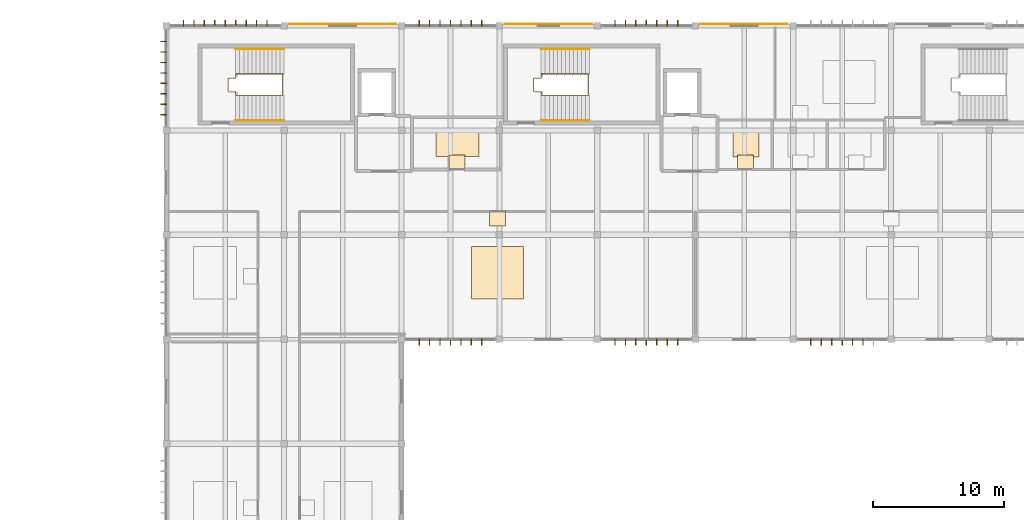
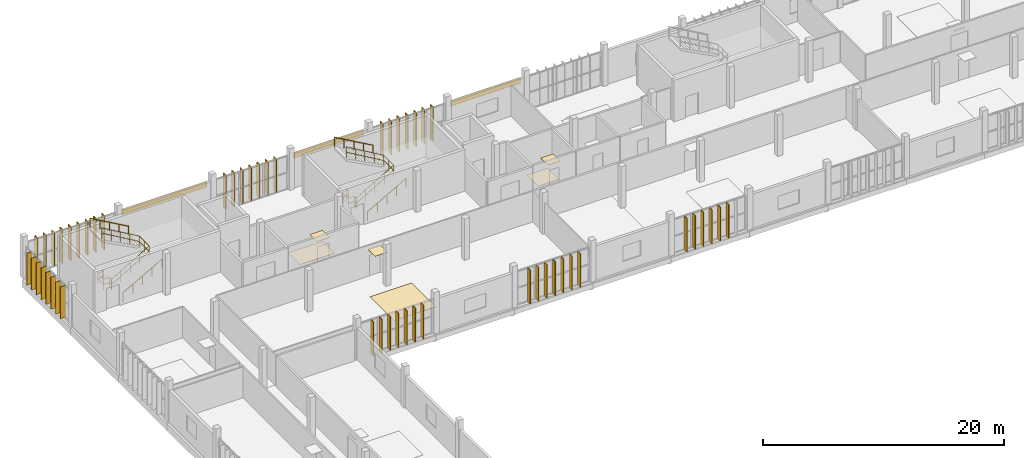
# One storey, part 25 of 27: 51 shading devices, 9 coverings, 8 railings.
"""IFC4 building model written with IfcOpenShell, lengths in metres."""

from ifc_helpers import new_model, si_unit, direction, frame, origin, origin_2d, place, context, subcontext, project, spatial, rectangle, circle, extrude, material, layer, layer_set, material_profile, profile_set, type_object, element, save


model = new_model("IFC4")

# Units and contexts
model_context = context("Model", 3, precision=1e-05, world=origin(), true_north=direction((0.0, 1.0)))
body_context = subcontext(model_context, "Body", "Model", "MODEL_VIEW")
ifc_project = project(units=[si_unit("LENGTHUNIT", "METRE"), si_unit("AREAUNIT", "SQUARE_METRE"), si_unit("VOLUMEUNIT", "CUBIC_METRE"), si_unit("PLANEANGLEUNIT", "RADIAN"), si_unit("MASSUNIT", "GRAM", prefix="KILO")], contexts=[model_context])

# Site, building, storey
site_placement = place(None, origin())
site = spatial("IfcSite", under=ifc_project, at=site_placement, CompositionType="ELEMENT")
building_placement = place(site_placement, origin())
building = spatial("IfcBuilding", under=site, at=building_placement, Name="Vourika Railside Aquatics Centre", CompositionType="ELEMENT")
storey_placement = place(building_placement, frame((0.0, 0.0, 13.5)))
storey = spatial("IfcBuildingStorey", under=building, at=storey_placement, Name="L03", CompositionType="ELEMENT", Elevation=13.5)

# Coverings
ifc_material_1 = material(Name="Perforated moisture-resistant acoustic gypsum ceiling")
ifc_layer_1 = layer(ifc_material_1, 0.02490234375, Name="COV-CEIL-25")
ifc_layer_set_1 = layer_set([ifc_layer_1], Name="Perforated moisture-resistant acoustic gypsum ceiling")
covering_type_1 = type_object("IfcCoveringType", Name="COV-CEIL-25", PredefinedType="CEILING", material=ifc_layer_set_1)
for number, where, z_axis, x_axis, name in (
    (1, (62.344970703125, 105.52001953125, 2.637451171875), (0.0, 0.0, 1.0), (1.0, 0.0, 0.0), "Thermal Spa Male WC Acoustic Ceiling Panel"),
    (2, (43.35009765625, 101.280029296875, 2.637451171875), (0.0, 0.0, 1.0), (1.0, 0.0, 0.0), "Thermal Hydrotherapy and Vitality Lounge Acoustic Ceiling Panel"),
    (3, (40.2451171875, 105.52001953125, 2.637451171875), (0.0, 0.0, 1.0), (1.0, 0.0, 0.0), "Clean Linen and Spa Supply Store Acoustic Ceiling Panel"),
):
    element("IfcCovering", number, at=place(storey_placement, frame(where, z_axis=z_axis, x_axis=x_axis)), inside=storey, type_object=covering_type_1, Name=name, PredefinedType="CEILING", context=body_context, shape_type="SweptSolid", body=[
        extrude(rectangle(XDim=1.199951171875, YDim=1.199951171875, at=origin_2d()), origin(), (0.0, 0.0, 1.0), 0.02490234375),
    ])
ifc_material_2 = material(Name="Bronze-anodized aluminium rainscreen", Category="aluminium")
ifc_layer_2 = layer(ifc_material_2, 0.044921875, Name="COV-CLAD-45")
ifc_layer_set_2 = layer_set([ifc_layer_2], Name="Bronze-anodized aluminium rainscreen")
covering_type_2 = type_object("IfcCoveringType", Name="COV-CLAD-45", PredefinedType="CLADDING", material=ifc_layer_set_2)
covering_1_placement = place(storey_placement, frame((31.5, 116.155029296875, 2.81494140625), z_axis=(0.0, 0.0, 1.0), x_axis=(-1.0, 0.0, 0.0)))
element("IfcCovering", 4, at=covering_1_placement, inside=storey, type_object=covering_type_2, Name="Perforated Bronze Rainscreen Band CL-063", PredefinedType="CLADDING", context=body_context, shape_type="SweptSolid", body=[
    extrude(rectangle(XDim=8.199951171875, YDim=0.044921875, at=origin_2d()), origin(), (0.0, 0.0, 1.0), 0.550048828125),
])
for number, where, z_axis, x_axis, name in (
    (5, (47.25, 116.155029296875, 2.81494140625), (0.0, 0.0, 1.0), (-1.0, 0.0, 0.0), "Perforated Bronze Rainscreen Band CL-064"),
    (6, (62.25, 116.155029296875, 2.81494140625), (0.0, 0.0, 1.0), (-1.0, 0.0, 0.0), "Perforated Bronze Rainscreen Band CL-065"),
):
    element("IfcCovering", number, at=place(storey_placement, frame(where, z_axis=z_axis, x_axis=x_axis)), inside=storey, type_object=covering_type_2, Name=name, PredefinedType="CLADDING", context=body_context, shape_type="SweptSolid", body=[
        extrude(rectangle(XDim=6.699951171875, YDim=0.044921875, at=origin_2d()), origin(), (0.0, 0.0, 1.0), 0.550048828125),
    ])
ifc_material_3 = material(Name="Slip-resistant aqua ceramic sports flooring")
ifc_layer_3 = layer(ifc_material_3, 0.02001953125, Name="COV-FLOR-20")
ifc_layer_set_3 = layer_set([ifc_layer_3], Name="Slip-resistant aqua ceramic sports flooring")
covering_type_3 = type_object("IfcCoveringType", Name="COV-FLOR-20", PredefinedType="FLOORING", material=ifc_layer_set_3)
covering_2_placement = place(storey_placement, frame((62.39990234375, 106.89990234375, 0.0), z_axis=(0.0, 0.0, 1.0), x_axis=(1.0, 0.0, 0.0)))
element("IfcCovering", 7, at=covering_2_placement, inside=storey, type_object=covering_type_3, Name="Thermal Spa Male WC Sports Flooring Panel", PredefinedType="FLOORING", context=body_context, shape_type="SweptSolid", body=[
    extrude(rectangle(XDim=2.0, YDim=1.89990234375, at=origin_2d()), origin(), (0.0, 0.0, 1.0), 0.02001953125),
])
covering_3_placement = place(storey_placement, frame((43.35009765625, 97.10009765625, 0.0), z_axis=(0.0, 0.0, 1.0), x_axis=(1.0, 0.0, 0.0)))
element("IfcCovering", 8, at=covering_3_placement, inside=storey, type_object=covering_type_3, Name="Thermal Hydrotherapy and Vitality Lounge Sports Flooring Panel", PredefinedType="FLOORING", context=body_context, shape_type="SweptSolid", body=[
    extrude(rectangle(XDim=4.0, YDim=4.0, at=origin_2d()), origin(), (0.0, 0.0, 1.0), 0.02001953125),
])
covering_4_placement = place(storey_placement, frame((40.300048828125, 107.0, 0.0), z_axis=(0.0, 0.0, 1.0), x_axis=(1.0, 0.0, 0.0)))
element("IfcCovering", 9, at=covering_4_placement, inside=storey, type_object=covering_type_3, Name="Clean Linen and Spa Supply Store Sports Flooring Panel", PredefinedType="FLOORING", context=body_context, shape_type="SweptSolid", body=[
    extrude(rectangle(XDim=3.300048828125, YDim=2.0, at=origin_2d()), origin(), (0.0, 0.0, 1.0), 0.02001953125),
])

# Railings
ifc_material_4 = material(Name="Duplex stainless steel EN 1.4462", Category="steel")
railing_type_1 = type_object("IfcRailingType", Name="RL-HAND-920", PredefinedType="HANDRAIL", material=ifc_material_4)
railing_1_placement = place(storey_placement, frame((23.300048828125, 108.760009765625, 0.0)))
element("IfcRailing", 10, at=railing_1_placement, inside=storey, type_object=railing_type_1, Name="Protected Exit Stair Core ST01 Lower Wall Handrail (L03)", PredefinedType="HANDRAIL", context=body_context, shape_type="SweptSolid", body=[
    extrude(circle(Radius=0.02392578125, at=origin_2d()), frame((0.0, 0.0, 0.89599609375), z_axis=(0.869449269089, 0.0, 0.494022234804), x_axis=(0.0, 1.0, 0.0)), (0.0, 0.0, 1.0), 4.2509765625),
    extrude(circle(Radius=0.02099609375, at=origin_2d()), origin(), (0.0, 0.0, 1.0), 0.871826171875),
    extrude(circle(Radius=0.02099609375, at=origin_2d()), frame((0.924072265625, 0.0, 0.52490234375)), (0.0, 0.0, 1.0), 0.871826171875),
    extrude(circle(Radius=0.02099609375, at=origin_2d()), frame((1.84814453125, 0.0, 1.050048828125)), (0.0, 0.0, 1.0), 0.871826171875),
    extrude(circle(Radius=0.02099609375, at=origin_2d()), frame((2.77197265625, 0.0, 1.5751953125)), (0.0, 0.0, 1.0), 0.871826171875),
    extrude(circle(Radius=0.02099609375, at=origin_2d()), frame((3.696044921875, 0.0, 2.10009765625)), (0.0, 0.0, 1.0), 0.871826171875),
])
railing_2_placement = place(storey_placement, frame((26.99609375, 114.239990234375, 2.10009765625)))
element("IfcRailing", 11, at=railing_2_placement, inside=storey, type_object=railing_type_1, Name="Protected Exit Stair Core ST01 Upper Wall Handrail (L03)", PredefinedType="HANDRAIL", context=body_context, shape_type="SweptSolid", body=[
    extrude(circle(Radius=0.02392578125, at=origin_2d()), frame((0.0, 0.0, 0.89599609375), z_axis=(-0.869473936924, 0.0, 0.493978818382), x_axis=(0.0, -1.0, 0.0)), (0.0, 0.0, 1.0), 4.2509765625),
    extrude(circle(Radius=0.02099609375, at=origin_2d()), origin(), (0.0, 0.0, 1.0), 0.871826171875),
    extrude(circle(Radius=0.02099609375, at=origin_2d()), frame((-0.924072265625, 0.0, 0.52490234375)), (0.0, 0.0, 1.0), 0.871826171875),
    extrude(circle(Radius=0.02099609375, at=origin_2d()), frame((-1.84814453125, 0.0, 1.0498046875)), (0.0, 0.0, 1.0), 0.871826171875),
    extrude(circle(Radius=0.02099609375, at=origin_2d()), frame((-2.77197265625, 0.0, 1.574951171875)), (0.0, 0.0, 1.0), 0.871826171875),
    extrude(circle(Radius=0.02099609375, at=origin_2d()), frame((-3.696044921875, 0.0, 2.099853515625)), (0.0, 0.0, 1.0), 0.871826171875),
])
railing_3_placement = place(storey_placement, frame((46.699951171875, 108.760009765625, 0.0)))
element("IfcRailing", 12, at=railing_3_placement, inside=storey, type_object=railing_type_1, Name="Protected Exit Stair Core ST02 Lower Wall Handrail (L03)", PredefinedType="HANDRAIL", context=body_context, shape_type="SweptSolid", body=[
    extrude(circle(Radius=0.02392578125, at=origin_2d()), frame((0.0, 0.0, 0.89599609375), z_axis=(0.869449269089, 0.0, 0.494022234804), x_axis=(0.0, 1.0, 0.0)), (0.0, 0.0, 1.0), 4.2509765625),
    extrude(circle(Radius=0.02099609375, at=origin_2d()), origin(), (0.0, 0.0, 1.0), 0.871826171875),
    extrude(circle(Radius=0.02099609375, at=origin_2d()), frame((0.924072265625, 0.0, 0.52490234375)), (0.0, 0.0, 1.0), 0.871826171875),
    extrude(circle(Radius=0.02099609375, at=origin_2d()), frame((1.84814453125, 0.0, 1.050048828125)), (0.0, 0.0, 1.0), 0.871826171875),
    extrude(circle(Radius=0.02099609375, at=origin_2d()), frame((2.77197265625, 0.0, 1.5751953125)), (0.0, 0.0, 1.0), 0.871826171875),
    extrude(circle(Radius=0.02099609375, at=origin_2d()), frame((3.696044921875, 0.0, 2.10009765625)), (0.0, 0.0, 1.0), 0.871826171875),
])
railing_4_placement = place(storey_placement, frame((50.39599609375, 114.239990234375, 2.10009765625)))
element("IfcRailing", 13, at=railing_4_placement, inside=storey, type_object=railing_type_1, Name="Protected Exit Stair Core ST02 Upper Wall Handrail (L03)", PredefinedType="HANDRAIL", context=body_context, shape_type="SweptSolid", body=[
    extrude(circle(Radius=0.02392578125, at=origin_2d()), frame((0.0, 0.0, 0.89599609375), z_axis=(-0.869473936924, 0.0, 0.493978818382), x_axis=(0.0, -1.0, 0.0)), (0.0, 0.0, 1.0), 4.2509765625),
    extrude(circle(Radius=0.02099609375, at=origin_2d()), origin(), (0.0, 0.0, 1.0), 0.871826171875),
    extrude(circle(Radius=0.02099609375, at=origin_2d()), frame((-0.924072265625, 0.0, 0.52490234375)), (0.0, 0.0, 1.0), 0.871826171875),
    extrude(circle(Radius=0.02099609375, at=origin_2d()), frame((-1.84814453125, 0.0, 1.0498046875)), (0.0, 0.0, 1.0), 0.871826171875),
    extrude(circle(Radius=0.02099609375, at=origin_2d()), frame((-2.77197265625, 0.0, 1.574951171875)), (0.0, 0.0, 1.0), 0.871826171875),
    extrude(circle(Radius=0.02099609375, at=origin_2d()), frame((-3.696044921875, 0.0, 2.099853515625)), (0.0, 0.0, 1.0), 0.871826171875),
])
railing_type_2 = type_object("IfcRailingType", Name="RL-STAIR-1120", PredefinedType="BALUSTRADE", material=ifc_material_4)
railing_5_placement = place(storey_placement, frame((23.300048828125, 110.75, 0.0)))
element("IfcRailing", 14, at=railing_5_placement, inside=storey, type_object=railing_type_2, Name="Protected Exit Stair Core ST01 Well Edge Guard (L03)", PredefinedType="BALUSTRADE", context=body_context, shape_type="SweptSolid", body=[
    extrude(circle(Radius=0.02392578125, at=origin_2d()), frame((0.0, 0.0, 1.09619140625), z_axis=(0.0, 1.0, 0.0), x_axis=(-1.0, 0.0, 0.0)), (0.0, 0.0, 1.0), 0.25),
    extrude(circle(Radius=0.02392578125, at=origin_2d()), frame((0.0, 0.0, 0.56005859375), z_axis=(0.0, 1.0, 0.0), x_axis=(-1.0, 0.0, 0.0)), (0.0, 0.0, 1.0), 0.25),
    extrude(circle(Radius=0.02392578125, at=origin_2d()), frame((0.0, 0.25, 1.09619140625), z_axis=(-1.0, 0.0, 0.0), x_axis=(0.0, -1.0, 0.0)), (0.0, 0.0, 1.0), 0.570068359375),
    extrude(circle(Radius=0.02392578125, at=origin_2d()), frame((0.0, 0.25, 0.56005859375), z_axis=(-1.0, 0.0, 0.0), x_axis=(0.0, -1.0, 0.0)), (0.0, 0.0, 1.0), 0.570068359375),
    extrude(circle(Radius=0.02392578125, at=origin_2d()), frame((-0.570068359375, 0.25, 1.09619140625), z_axis=(0.0, 1.0, 0.0), x_axis=(-1.0, 0.0, 0.0)), (0.0, 0.0, 1.0), 1.0),
    extrude(circle(Radius=0.02392578125, at=origin_2d()), frame((-0.570068359375, 0.25, 0.56005859375), z_axis=(0.0, 1.0, 0.0), x_axis=(-1.0, 0.0, 0.0)), (0.0, 0.0, 1.0), 1.0),
    extrude(circle(Radius=0.02392578125, at=origin_2d()), frame((-0.570068359375, 1.25, 1.09619140625), z_axis=(1.0, 0.0, 0.0), x_axis=(0.0, 1.0, 0.0)), (0.0, 0.0, 1.0), 0.570068359375),
    extrude(circle(Radius=0.02392578125, at=origin_2d()), frame((-0.570068359375, 1.25, 0.56005859375), z_axis=(1.0, 0.0, 0.0), x_axis=(0.0, 1.0, 0.0)), (0.0, 0.0, 1.0), 0.570068359375),
    extrude(circle(Radius=0.02392578125, at=origin_2d()), frame((0.0, 1.25, 1.09619140625), z_axis=(0.0, 1.0, 0.0), x_axis=(-1.0, 0.0, 0.0)), (0.0, 0.0, 1.0), 0.25),
    extrude(circle(Radius=0.02392578125, at=origin_2d()), frame((0.0, 1.25, 0.56005859375), z_axis=(0.0, 1.0, 0.0), x_axis=(-1.0, 0.0, 0.0)), (0.0, 0.0, 1.0), 0.25),
    extrude(circle(Radius=0.02099609375, at=origin_2d()), origin(), (0.0, 0.0, 1.0), 1.072021484375),
    extrude(circle(Radius=0.02099609375, at=origin_2d()), frame((0.0, 0.25, 0.0)), (0.0, 0.0, 1.0), 1.072021484375),
    extrude(circle(Radius=0.02099609375, at=origin_2d()), frame((-0.570068359375, 0.25, 0.0)), (0.0, 0.0, 1.0), 1.072021484375),
    extrude(circle(Radius=0.02099609375, at=origin_2d()), frame((-0.570068359375, 1.25, 0.0)), (0.0, 0.0, 1.0), 1.072021484375),
    extrude(circle(Radius=0.02099609375, at=origin_2d()), frame((0.0, 1.25, 0.0)), (0.0, 0.0, 1.0), 1.072021484375),
    extrude(circle(Radius=0.02099609375, at=origin_2d()), frame((0.0, 1.5, 0.0)), (0.0, 0.0, 1.0), 1.072021484375),
])
railing_6_placement = place(storey_placement, frame((23.300048828125, 110.679931640625, 0.0)))
element("IfcRailing", 15, at=railing_6_placement, inside=storey, type_object=railing_type_2, Name="Protected Exit Stair Core ST01 Center Well Guard (L03)", PredefinedType="BALUSTRADE", context=body_context, shape_type="SweptSolid", body=[
    extrude(circle(Radius=0.02392578125, at=origin_2d()), frame((0.0, 0.0, 1.09619140625), z_axis=(0.863521496458, 0.0, 0.504312031539), x_axis=(0.0, 1.0, 0.0)), (0.0, 0.0, 1.0), 4.164306640625),
    extrude(circle(Radius=0.02392578125, at=origin_2d()), frame((0.0, 0.0, 0.56005859375), z_axis=(0.863521496458, 0.0, 0.504312031539), x_axis=(0.0, 1.0, 0.0)), (0.0, 0.0, 1.0), 4.164306640625),
    extrude(circle(Radius=0.02392578125, at=origin_2d()), frame((3.595947265625, 0.0, 3.1962890625), z_axis=(0.0, 1.0, 0.0), x_axis=(-1.0, 0.0, 0.0)), (0.0, 0.0, 1.0), 1.64013671875),
    extrude(circle(Radius=0.02392578125, at=origin_2d()), frame((3.595947265625, 0.0, 2.66015625), z_axis=(0.0, 1.0, 0.0), x_axis=(-1.0, 0.0, 0.0)), (0.0, 0.0, 1.0), 1.64013671875),
    extrude(circle(Radius=0.02392578125, at=origin_2d()), frame((3.595947265625, 1.64013671875, 3.1962890625), z_axis=(-0.863547027374, 0.0, 0.504268313018), x_axis=(0.0, -1.0, 0.0)), (0.0, 0.0, 1.0), 4.1640625),
    extrude(circle(Radius=0.02392578125, at=origin_2d()), frame((3.595947265625, 1.64013671875, 2.66015625), z_axis=(-0.863547027374, 0.0, 0.504268313018), x_axis=(0.0, -1.0, 0.0)), (0.0, 0.0, 1.0), 4.1640625),
    extrude(circle(Radius=0.02099609375, at=origin_2d()), origin(), (0.0, 0.0, 1.0), 1.072021484375),
    extrude(circle(Radius=0.02099609375, at=origin_2d()), frame((0.89892578125, 0.0, 0.52490234375)), (0.0, 0.0, 1.0), 1.072021484375),
    extrude(circle(Radius=0.02099609375, at=origin_2d()), frame((1.7978515625, 0.0, 1.050048828125)), (0.0, 0.0, 1.0), 1.072021484375),
    extrude(circle(Radius=0.02099609375, at=origin_2d()), frame((2.697021484375, 0.0, 1.5751953125)), (0.0, 0.0, 1.0), 1.072021484375),
    extrude(circle(Radius=0.02099609375, at=origin_2d()), frame((3.595947265625, 0.0, 2.10009765625)), (0.0, 0.0, 1.0), 1.072021484375),
    extrude(circle(Radius=0.02099609375, at=origin_2d()), frame((3.595947265625, 0.820068359375, 2.10009765625)), (0.0, 0.0, 1.0), 1.072021484375),
    extrude(circle(Radius=0.02099609375, at=origin_2d()), frame((3.595947265625, 1.64013671875, 2.10009765625)), (0.0, 0.0, 1.0), 1.072021484375),
    extrude(circle(Radius=0.02099609375, at=origin_2d()), frame((2.697021484375, 1.64013671875, 2.625)), (0.0, 0.0, 1.0), 1.072021484375),
    extrude(circle(Radius=0.02099609375, at=origin_2d()), frame((1.7978515625, 1.64013671875, 3.14990234375)), (0.0, 0.0, 1.0), 1.072021484375),
    extrude(circle(Radius=0.02099609375, at=origin_2d()), frame((0.89892578125, 1.64013671875, 3.675048828125)), (0.0, 0.0, 1.0), 1.072021484375),
    extrude(circle(Radius=0.02099609375, at=origin_2d()), frame((0.0, 1.64013671875, 4.199951171875)), (0.0, 0.0, 1.0), 1.072021484375),
])
railing_7_placement = place(storey_placement, frame((46.699951171875, 110.75, 0.0)))
element("IfcRailing", 16, at=railing_7_placement, inside=storey, type_object=railing_type_2, Name="Protected Exit Stair Core ST02 Well Edge Guard (L03)", PredefinedType="BALUSTRADE", context=body_context, shape_type="SweptSolid", body=[
    extrude(circle(Radius=0.02392578125, at=origin_2d()), frame((0.0, 0.0, 1.09619140625), z_axis=(0.0, 1.0, 0.0), x_axis=(-1.0, 0.0, 0.0)), (0.0, 0.0, 1.0), 0.25),
    extrude(circle(Radius=0.02392578125, at=origin_2d()), frame((0.0, 0.0, 0.56005859375), z_axis=(0.0, 1.0, 0.0), x_axis=(-1.0, 0.0, 0.0)), (0.0, 0.0, 1.0), 0.25),
    extrude(circle(Radius=0.02392578125, at=origin_2d()), frame((0.0, 0.25, 1.09619140625), z_axis=(-1.0, 0.0, 0.0), x_axis=(0.0, -1.0, 0.0)), (0.0, 0.0, 1.0), 0.570068359375),
    extrude(circle(Radius=0.02392578125, at=origin_2d()), frame((0.0, 0.25, 0.56005859375), z_axis=(-1.0, 0.0, 0.0), x_axis=(0.0, -1.0, 0.0)), (0.0, 0.0, 1.0), 0.570068359375),
    extrude(circle(Radius=0.02392578125, at=origin_2d()), frame((-0.570068359375, 0.25, 1.09619140625), z_axis=(0.0, 1.0, 0.0), x_axis=(-1.0, 0.0, 0.0)), (0.0, 0.0, 1.0), 1.0),
    extrude(circle(Radius=0.02392578125, at=origin_2d()), frame((-0.570068359375, 0.25, 0.56005859375), z_axis=(0.0, 1.0, 0.0), x_axis=(-1.0, 0.0, 0.0)), (0.0, 0.0, 1.0), 1.0),
    extrude(circle(Radius=0.02392578125, at=origin_2d()), frame((-0.570068359375, 1.25, 1.09619140625), z_axis=(1.0, 0.0, 0.0), x_axis=(0.0, 1.0, 0.0)), (0.0, 0.0, 1.0), 0.570068359375),
    extrude(circle(Radius=0.02392578125, at=origin_2d()), frame((-0.570068359375, 1.25, 0.56005859375), z_axis=(1.0, 0.0, 0.0), x_axis=(0.0, 1.0, 0.0)), (0.0, 0.0, 1.0), 0.570068359375),
    extrude(circle(Radius=0.02392578125, at=origin_2d()), frame((0.0, 1.25, 1.09619140625), z_axis=(0.0, 1.0, 0.0), x_axis=(-1.0, 0.0, 0.0)), (0.0, 0.0, 1.0), 0.25),
    extrude(circle(Radius=0.02392578125, at=origin_2d()), frame((0.0, 1.25, 0.56005859375), z_axis=(0.0, 1.0, 0.0), x_axis=(-1.0, 0.0, 0.0)), (0.0, 0.0, 1.0), 0.25),
    extrude(circle(Radius=0.02099609375, at=origin_2d()), origin(), (0.0, 0.0, 1.0), 1.072021484375),
    extrude(circle(Radius=0.02099609375, at=origin_2d()), frame((0.0, 0.25, 0.0)), (0.0, 0.0, 1.0), 1.072021484375),
    extrude(circle(Radius=0.02099609375, at=origin_2d()), frame((-0.570068359375, 0.25, 0.0)), (0.0, 0.0, 1.0), 1.072021484375),
    extrude(circle(Radius=0.02099609375, at=origin_2d()), frame((-0.570068359375, 1.25, 0.0)), (0.0, 0.0, 1.0), 1.072021484375),
    extrude(circle(Radius=0.02099609375, at=origin_2d()), frame((0.0, 1.25, 0.0)), (0.0, 0.0, 1.0), 1.072021484375),
    extrude(circle(Radius=0.02099609375, at=origin_2d()), frame((0.0, 1.5, 0.0)), (0.0, 0.0, 1.0), 1.072021484375),
])
railing_8_placement = place(storey_placement, frame((46.699951171875, 110.679931640625, 0.0)))
element("IfcRailing", 17, at=railing_8_placement, inside=storey, type_object=railing_type_2, Name="Protected Exit Stair Core ST02 Center Well Guard (L03)", PredefinedType="BALUSTRADE", context=body_context, shape_type="SweptSolid", body=[
    extrude(circle(Radius=0.02392578125, at=origin_2d()), frame((0.0, 0.0, 1.09619140625), z_axis=(0.863521496458, 0.0, 0.504312031539), x_axis=(0.0, 1.0, 0.0)), (0.0, 0.0, 1.0), 4.164306640625),
    extrude(circle(Radius=0.02392578125, at=origin_2d()), frame((0.0, 0.0, 0.56005859375), z_axis=(0.863521496458, 0.0, 0.504312031539), x_axis=(0.0, 1.0, 0.0)), (0.0, 0.0, 1.0), 4.164306640625),
    extrude(circle(Radius=0.02392578125, at=origin_2d()), frame((3.595947265625, 0.0, 3.1962890625), z_axis=(0.0, 1.0, 0.0), x_axis=(-1.0, 0.0, 0.0)), (0.0, 0.0, 1.0), 1.64013671875),
    extrude(circle(Radius=0.02392578125, at=origin_2d()), frame((3.595947265625, 0.0, 2.66015625), z_axis=(0.0, 1.0, 0.0), x_axis=(-1.0, 0.0, 0.0)), (0.0, 0.0, 1.0), 1.64013671875),
    extrude(circle(Radius=0.02392578125, at=origin_2d()), frame((3.595947265625, 1.64013671875, 3.1962890625), z_axis=(-0.863547027374, 0.0, 0.504268313018), x_axis=(0.0, -1.0, 0.0)), (0.0, 0.0, 1.0), 4.1640625),
    extrude(circle(Radius=0.02392578125, at=origin_2d()), frame((3.595947265625, 1.64013671875, 2.66015625), z_axis=(-0.863547027374, 0.0, 0.504268313018), x_axis=(0.0, -1.0, 0.0)), (0.0, 0.0, 1.0), 4.1640625),
    extrude(circle(Radius=0.02099609375, at=origin_2d()), origin(), (0.0, 0.0, 1.0), 1.072021484375),
    extrude(circle(Radius=0.02099609375, at=origin_2d()), frame((0.89892578125, 0.0, 0.52490234375)), (0.0, 0.0, 1.0), 1.072021484375),
    extrude(circle(Radius=0.02099609375, at=origin_2d()), frame((1.7978515625, 0.0, 1.050048828125)), (0.0, 0.0, 1.0), 1.072021484375),
    extrude(circle(Radius=0.02099609375, at=origin_2d()), frame((2.697021484375, 0.0, 1.5751953125)), (0.0, 0.0, 1.0), 1.072021484375),
    extrude(circle(Radius=0.02099609375, at=origin_2d()), frame((3.595947265625, 0.0, 2.10009765625)), (0.0, 0.0, 1.0), 1.072021484375),
    extrude(circle(Radius=0.02099609375, at=origin_2d()), frame((3.595947265625, 0.820068359375, 2.10009765625)), (0.0, 0.0, 1.0), 1.072021484375),
    extrude(circle(Radius=0.02099609375, at=origin_2d()), frame((3.595947265625, 1.64013671875, 2.10009765625)), (0.0, 0.0, 1.0), 1.072021484375),
    extrude(circle(Radius=0.02099609375, at=origin_2d()), frame((2.697021484375, 1.64013671875, 2.625)), (0.0, 0.0, 1.0), 1.072021484375),
    extrude(circle(Radius=0.02099609375, at=origin_2d()), frame((1.7978515625, 1.64013671875, 3.14990234375)), (0.0, 0.0, 1.0), 1.072021484375),
    extrude(circle(Radius=0.02099609375, at=origin_2d()), frame((0.89892578125, 1.64013671875, 3.675048828125)), (0.0, 0.0, 1.0), 1.072021484375),
    extrude(circle(Radius=0.02099609375, at=origin_2d()), frame((0.0, 1.64013671875, 4.199951171875)), (0.0, 0.0, 1.0), 1.072021484375),
])

# Shading devices
ifc_material_5 = material(Name="Bronze-anodized extruded aluminium", Category="aluminium")
ifc_material_profile = material_profile(ifc_material_5, rectangle(XDim=0.06005859375, YDim=0.47998046875, at=origin_2d()), Name="ALU-FIN 60x480")
ifc_profile_set = profile_set([ifc_material_profile], Name="Bronze-anodized extruded aluminium")
shading_device_type = type_object("IfcShadingDeviceType", Name="SHD-FIN-F48A", PredefinedType="USERDEFINED", material=ifc_profile_set)
for number, where, z_axis, x_axis, name in (
    (18, (19.300048828125, 116.215087890625, 0.0), (0.0, 0.0, 1.0), (1.0, 0.0, 0.0), "Vertical Solar Fin VSF-1004"),
    (19, (20.10009765625, 116.215087890625, 0.0), (0.0, 0.0, 1.0), (1.0, 0.0, 0.0), "Vertical Solar Fin VSF-1005"),
    (20, (20.89990234375, 116.215087890625, 0.0), (0.0, 0.0, 1.0), (1.0, 0.0, 0.0), "Vertical Solar Fin VSF-1006"),
    (21, (21.699951171875, 116.215087890625, 0.0), (0.0, 0.0, 1.0), (1.0, 0.0, 0.0), "Vertical Solar Fin VSF-1007"),
    (22, (22.5, 116.215087890625, 0.0), (0.0, 0.0, 1.0), (1.0, 0.0, 0.0), "Vertical Solar Fin VSF-1008"),
    (23, (23.300048828125, 116.215087890625, 0.0), (0.0, 0.0, 1.0), (1.0, 0.0, 0.0), "Vertical Solar Fin VSF-1009"),
    (24, (24.10009765625, 116.215087890625, 0.0), (0.0, 0.0, 1.0), (1.0, 0.0, 0.0), "Vertical Solar Fin VSF-1010"),
    (25, (24.89990234375, 116.215087890625, 0.0), (0.0, 0.0, 1.0), (1.0, 0.0, 0.0), "Vertical Solar Fin VSF-1011"),
    (26, (25.699951171875, 116.215087890625, 0.0), (0.0, 0.0, 1.0), (1.0, 0.0, 0.0), "Vertical Solar Fin VSF-1012"),
    (27, (37.35009765625, 116.215087890625, 0.0), (0.0, 0.0, 1.0), (1.0, 0.0, 0.0), "Vertical Solar Fin VSF-1013"),
    (28, (38.14990234375, 116.215087890625, 0.0), (0.0, 0.0, 1.0), (1.0, 0.0, 0.0), "Vertical Solar Fin VSF-1014"),
    (29, (38.949951171875, 116.215087890625, 0.0), (0.0, 0.0, 1.0), (1.0, 0.0, 0.0), "Vertical Solar Fin VSF-1015"),
    (30, (39.75, 116.215087890625, 0.0), (0.0, 0.0, 1.0), (1.0, 0.0, 0.0), "Vertical Solar Fin VSF-1016"),
    (31, (40.550048828125, 116.215087890625, 0.0), (0.0, 0.0, 1.0), (1.0, 0.0, 0.0), "Vertical Solar Fin VSF-1017"),
    (32, (41.35009765625, 116.215087890625, 0.0), (0.0, 0.0, 1.0), (1.0, 0.0, 0.0), "Vertical Solar Fin VSF-1018"),
    (33, (42.14990234375, 116.215087890625, 0.0), (0.0, 0.0, 1.0), (1.0, 0.0, 0.0), "Vertical Solar Fin VSF-1019"),
    (34, (52.35009765625, 116.215087890625, 0.0), (0.0, 0.0, 1.0), (1.0, 0.0, 0.0), "Vertical Solar Fin VSF-1020"),
    (35, (53.14990234375, 116.215087890625, 0.0), (0.0, 0.0, 1.0), (1.0, 0.0, 0.0), "Vertical Solar Fin VSF-1021"),
    (36, (53.949951171875, 116.215087890625, 0.0), (0.0, 0.0, 1.0), (1.0, 0.0, 0.0), "Vertical Solar Fin VSF-1022"),
    (37, (54.75, 116.215087890625, 0.0), (0.0, 0.0, 1.0), (1.0, 0.0, 0.0), "Vertical Solar Fin VSF-1023"),
    (38, (55.550048828125, 116.215087890625, 0.0), (0.0, 0.0, 1.0), (1.0, 0.0, 0.0), "Vertical Solar Fin VSF-1024"),
    (39, (56.35009765625, 116.215087890625, 0.0), (0.0, 0.0, 1.0), (1.0, 0.0, 0.0), "Vertical Solar Fin VSF-1025"),
    (40, (57.14990234375, 116.215087890625, 0.0), (0.0, 0.0, 1.0), (1.0, 0.0, 0.0), "Vertical Solar Fin VSF-1026"),
    (41, (37.35009765625, 91.784912109375, 0.0), (0.0, 0.0, 1.0), (-1.0, 0.0, 0.0), "Vertical Solar Fin VSF-1048"),
    (42, (38.14990234375, 91.784912109375, 0.0), (0.0, 0.0, 1.0), (-1.0, 0.0, 0.0), "Vertical Solar Fin VSF-1049"),
    (43, (38.949951171875, 91.784912109375, 0.0), (0.0, 0.0, 1.0), (-1.0, 0.0, 0.0), "Vertical Solar Fin VSF-1050"),
    (44, (39.75, 91.784912109375, 0.0), (0.0, 0.0, 1.0), (-1.0, 0.0, 0.0), "Vertical Solar Fin VSF-1051"),
    (45, (40.550048828125, 91.784912109375, 0.0), (0.0, 0.0, 1.0), (-1.0, 0.0, 0.0), "Vertical Solar Fin VSF-1052"),
    (46, (41.35009765625, 91.784912109375, 0.0), (0.0, 0.0, 1.0), (-1.0, 0.0, 0.0), "Vertical Solar Fin VSF-1053"),
    (47, (42.14990234375, 91.784912109375, 0.0), (0.0, 0.0, 1.0), (-1.0, 0.0, 0.0), "Vertical Solar Fin VSF-1054"),
    (48, (52.35009765625, 91.784912109375, 0.0), (0.0, 0.0, 1.0), (-1.0, 0.0, 0.0), "Vertical Solar Fin VSF-1055"),
    (49, (53.14990234375, 91.784912109375, 0.0), (0.0, 0.0, 1.0), (-1.0, 0.0, 0.0), "Vertical Solar Fin VSF-1056"),
    (50, (53.949951171875, 91.784912109375, 0.0), (0.0, 0.0, 1.0), (-1.0, 0.0, 0.0), "Vertical Solar Fin VSF-1057"),
    (51, (54.75, 91.784912109375, 0.0), (0.0, 0.0, 1.0), (-1.0, 0.0, 0.0), "Vertical Solar Fin VSF-1058"),
    (52, (55.550048828125, 91.784912109375, 0.0), (0.0, 0.0, 1.0), (-1.0, 0.0, 0.0), "Vertical Solar Fin VSF-1059"),
    (53, (56.35009765625, 91.784912109375, 0.0), (0.0, 0.0, 1.0), (-1.0, 0.0, 0.0), "Vertical Solar Fin VSF-1060"),
    (54, (57.14990234375, 91.784912109375, 0.0), (0.0, 0.0, 1.0), (-1.0, 0.0, 0.0), "Vertical Solar Fin VSF-1061"),
    (55, (67.35009765625, 91.784912109375, 0.0), (0.0, 0.0, 1.0), (-1.0, 0.0, 0.0), "Vertical Solar Fin VSF-1062"),
    (56, (68.14990234375, 91.784912109375, 0.0), (0.0, 0.0, 1.0), (-1.0, 0.0, 0.0), "Vertical Solar Fin VSF-1063"),
    (57, (68.949951171875, 91.784912109375, 0.0), (0.0, 0.0, 1.0), (-1.0, 0.0, 0.0), "Vertical Solar Fin VSF-1064"),
    (58, (69.75, 91.784912109375, 0.0), (0.0, 0.0, 1.0), (-1.0, 0.0, 0.0), "Vertical Solar Fin VSF-1065"),
    (59, (70.550048828125, 91.784912109375, 0.0), (0.0, 0.0, 1.0), (-1.0, 0.0, 0.0), "Vertical Solar Fin VSF-1066"),
    (60, (71.35009765625, 91.784912109375, 0.0), (0.0, 0.0, 1.0), (-1.0, 0.0, 0.0), "Vertical Solar Fin VSF-1067"),
):
    element("IfcShadingDevice", number, at=place(storey_placement, frame(where, z_axis=z_axis, x_axis=x_axis)), inside=storey, type_object=shading_device_type, Name=name, ObjectType="FIN", PredefinedType="USERDEFINED", context=body_context, shape_type="SweptSolid", body=[
        extrude(rectangle(XDim=0.06005859375, YDim=0.47998046875, at=origin_2d()), origin(), (0.0, 0.0, 1.0), 3.43994140625),
    ])
for number, where, z_axis, x_axis, name in (
    (61, (17.784912109375, 109.199951171875, 0.0), (0.0, 0.0, 1.0), (0.0, 1.0, 0.0), "Vertical Solar Fin VSF-1108"),
    (62, (17.784912109375, 110.0, 0.0), (0.0, 0.0, 1.0), (0.0, 1.0, 0.0), "Vertical Solar Fin VSF-1109"),
    (63, (17.784912109375, 110.800048828125, 0.0), (0.0, 0.0, 1.0), (0.0, 1.0, 0.0), "Vertical Solar Fin VSF-1110"),
    (64, (17.784912109375, 111.60009765625, 0.0), (0.0, 0.0, 1.0), (0.0, 1.0, 0.0), "Vertical Solar Fin VSF-1111"),
    (65, (17.784912109375, 112.39990234375, 0.0), (0.0, 0.0, 1.0), (0.0, 1.0, 0.0), "Vertical Solar Fin VSF-1112"),
    (66, (17.784912109375, 113.199951171875, 0.0), (0.0, 0.0, 1.0), (0.0, 1.0, 0.0), "Vertical Solar Fin VSF-1113"),
    (67, (17.784912109375, 114.0, 0.0), (0.0, 0.0, 1.0), (0.0, 1.0, 0.0), "Vertical Solar Fin VSF-1114"),
    (68, (17.784912109375, 114.800048828125, 0.0), (0.0, 0.0, 1.0), (0.0, 1.0, 0.0), "Vertical Solar Fin VSF-1115"),
):
    element("IfcShadingDevice", number, at=place(storey_placement, frame(where, z_axis=z_axis, x_axis=x_axis)), inside=storey, type_object=shading_device_type, Name=name, ObjectType="FIN", PredefinedType="USERDEFINED", context=body_context, shape_type="SweptSolid", body=[
        extrude(rectangle(XDim=0.06005859375, YDim=0.47998046875, at=origin_2d()), origin(), (0.0, 0.0, 1.0), 3.239990234375),
    ])

save(model, "model.ifc")
